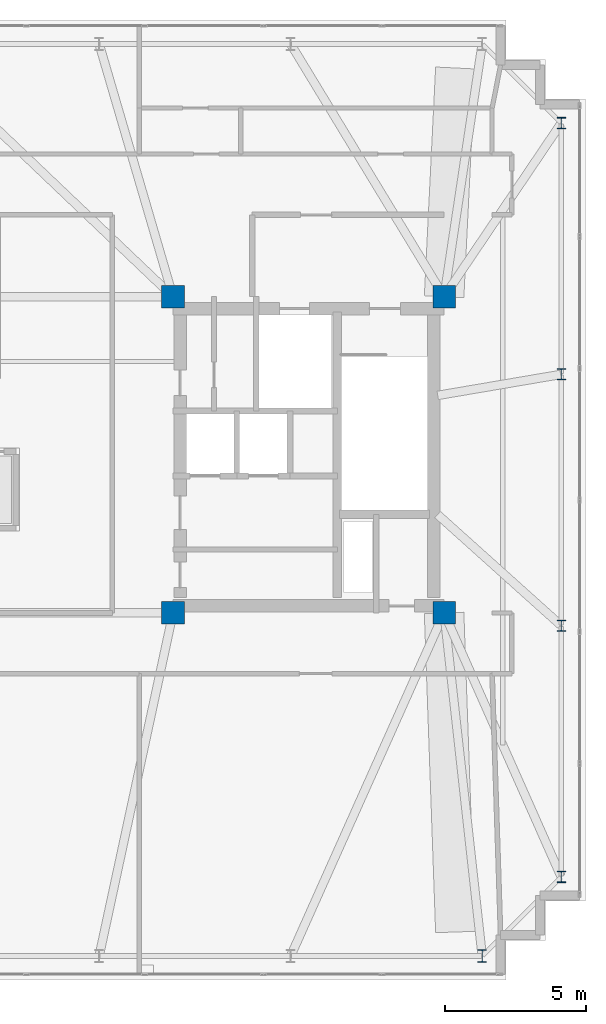
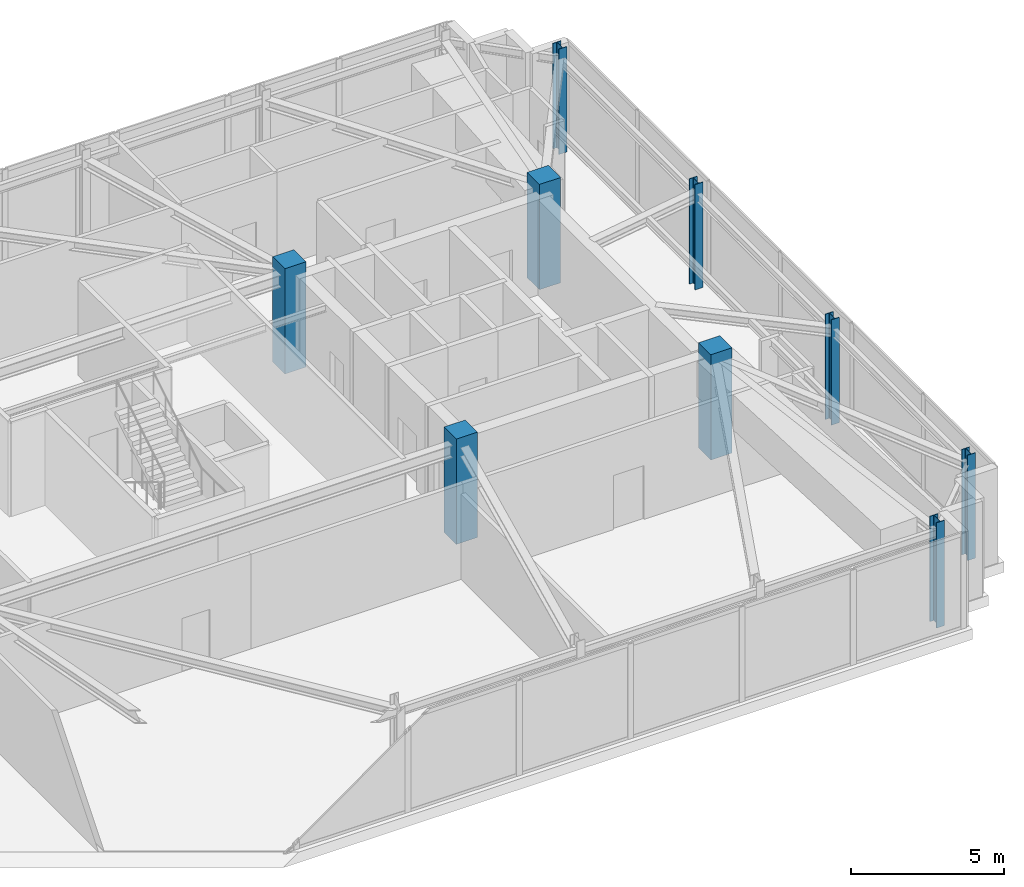
# One storey, part 2 of 27: 9 columns.
"""IFC4 building model written with IfcOpenShell, lengths in metres."""

import ifcopenshell
import ifcopenshell.guid

model = None  # the IFC model being written
_history = None  # IfcOwnerHistory: only IFC2X3 demands one
_inside = {}  # id of a spatial element -> (the spatial element, [elements in it])
_under = {}  # id of a project, library or spatial element -> (it, [spatial elements below it])
_declared = {}  # id of a project -> (the project, [libraries it declares])
_typed = {}  # id of a type object -> (the type object, [elements of that type])
_made_of = {}  # id of a material, layer set ... -> (it, [elements and type objects made of it])


def new_model(schema):
    """Start an empty IFC model of exactly this schema.

    Asked for "IFC4X3", IfcOpenShell would pick the latest addendum, in which some entities
    have other attributes; the version numbers below select the first issue.
    IFC2X3 requires an IfcOwnerHistory on every rooted entity: one is made here for all.
    """
    global model, _history
    if schema == "IFC4X3":
        model = ifcopenshell.file(schema_version=(4, 3, 0, 0))
    else:
        model = ifcopenshell.file(schema=schema)
    _inside.clear()
    _under.clear()
    _declared.clear()
    _typed.clear()
    _made_of.clear()
    _history = None
    if model.schema == "IFC2X3":
        org = make("IfcOrganization", Name="unknown")
        user = make(
            "IfcPersonAndOrganization",
            ThePerson=make("IfcPerson", FamilyName="unknown"),
            TheOrganization=org,
        )
        app = make(
            "IfcApplication",
            ApplicationDeveloper=org,
            Version="unknown",
            ApplicationFullName="unknown",
            ApplicationIdentifier="unknown",
        )
        _history = make(
            "IfcOwnerHistory",
            OwningUser=user,
            OwningApplication=app,
            ChangeAction="ADDED",
            CreationDate=0,
        )
    return model


def make(cls, **values):
    """One entity of the class cls with the attributes given. An attribute that is None is left unset."""
    return model.create_entity(
        cls, **{name: value for name, value in values.items() if value is not None}
    )


def rooted(cls, **values):
    """An entity with a GlobalId (a new one), such as an element, a storey or a relation."""
    return make(cls, GlobalId=ifcopenshell.guid.new(), OwnerHistory=_history, **values)


def si_unit(unit_type, name, prefix=None):
    """IfcSIUnit, for example si_unit("LENGTHUNIT", "METRE", prefix="MILLI")."""
    return make("IfcSIUnit", UnitType=unit_type, Prefix=prefix, Name=name)


def assignment(units):
    """IfcUnitAssignment: the units of a project."""
    return None if units is None else make("IfcUnitAssignment", Units=units)


def point(xyz):
    """IfcCartesianPoint."""
    return None if xyz is None else make("IfcCartesianPoint", Coordinates=xyz)


def direction(xyz):
    """IfcDirection."""
    return None if xyz is None else make("IfcDirection", DirectionRatios=xyz)


def frame(location, z_axis=None, x_axis=None):
    """IfcAxis2Placement3D, a coordinate frame: its origin and axes. An axis left out is left unset."""
    return make(
        "IfcAxis2Placement3D",
        Location=point(location),
        Axis=direction(z_axis),
        RefDirection=direction(x_axis),
    )


def frame_2d(location, x_axis=None):
    """IfcAxis2Placement2D, a coordinate frame in the plane: its origin and x axis."""
    return make(
        "IfcAxis2Placement2D", Location=point(location), RefDirection=direction(x_axis)
    )


def origin():
    """The frame at (0, 0, 0) with its axes left unset."""
    return frame((0.0, 0.0, 0.0))


def origin_2d():
    """The frame at (0, 0) in the plane with its x axis left unset."""
    return frame_2d((0.0, 0.0))


def place(relative_to, where):
    """IfcLocalPlacement: puts the frame where relative to a parent placement (None: the world)."""
    return make(
        "IfcLocalPlacement", PlacementRelTo=relative_to, RelativePlacement=where
    )


def context(
    kind, dimensions, precision=None, world=None, true_north=None, identifier=None
):
    """IfcGeometricRepresentationContext, for example the 3D "Model" context."""
    return make(
        "IfcGeometricRepresentationContext",
        ContextIdentifier=identifier,
        ContextType=kind,
        CoordinateSpaceDimension=dimensions,
        Precision=precision,
        WorldCoordinateSystem=world,
        TrueNorth=true_north,
    )


def subcontext(parent, identifier, kind, view, scale=None):
    """IfcGeometricRepresentationSubContext, for example "Body" below "Model"."""
    return make(
        "IfcGeometricRepresentationSubContext",
        ContextIdentifier=identifier,
        ContextType=kind,
        ParentContext=parent,
        TargetScale=scale,
        TargetView=view,
    )


def project(units=None, contexts=None):
    """IfcProject with its units and contexts."""
    return rooted(
        "IfcProject",
        Name="project",
        RepresentationContexts=contexts,
        UnitsInContext=assignment(units),
    )


def spatial(cls, under=None, at=None, **own):
    """A site, building, storey or space (cls), placed at a placement, below another one or the project."""
    s = rooted(cls, ObjectPlacement=at, **own)
    if under is not None:
        _under.setdefault(under.id(), (under, []))[1].append(s)
    return s


def profile(cls, at=None, kind="AREA", **sizes):
    """A parametric profile (cls). Its sizes go by their IFC names, for example OverallWidth=200.0."""
    return make(cls, ProfileType=kind, Position=at, **sizes)


def rectangle(**sizes):
    """IfcRectangleProfileDef."""
    return profile("IfcRectangleProfileDef", **sizes)


def i_section(**sizes):
    """IfcIShapeProfileDef."""
    return profile("IfcIShapeProfileDef", **sizes)


def extrude(swept, where, along, depth):
    """IfcExtrudedAreaSolid: the profile swept, set in the frame where, extruded along a direction by depth."""
    return make(
        "IfcExtrudedAreaSolid",
        SweptArea=swept,
        Position=where,
        ExtrudedDirection=direction(along),
        Depth=depth,
    )


def shape(context_of_items, identifier, shape_type, items):
    """IfcShapeRepresentation: the items that make up one representation, for example the "Body"."""
    return make(
        "IfcShapeRepresentation",
        ContextOfItems=context_of_items,
        RepresentationIdentifier=identifier,
        RepresentationType=shape_type,
        Items=items,
    )


def material(Name=None, Category=None):
    """IfcMaterial."""
    return make("IfcMaterial", Name=Name, Category=Category)


def material_profile(
    of_material, cross_section, Name=None, Category=None, Priority=None
):
    """IfcMaterialProfile: a cross section and its material."""
    return make(
        "IfcMaterialProfile",
        Name=Name,
        Material=of_material,
        Profile=cross_section,
        Priority=Priority,
        Category=Category,
    )


def profile_set(profiles, Name=None, composite=None):
    """IfcMaterialProfileSet."""
    return make(
        "IfcMaterialProfileSet",
        Name=Name,
        MaterialProfiles=profiles,
        CompositeProfile=composite,
    )


def made_of(thing, what):
    """Note that an element or type object is made of a material, layer set ...; save() writes the relation."""
    if what is not None:
        _made_of.setdefault(what.id(), (what, []))[1].append(thing)
    return thing


def type_object(cls, material=None, **own):
    """A type object (cls), such as IfcWallType, which elements share."""
    return made_of(rooted(cls, **own), material)


def element(
    cls,
    number,
    at=None,
    inside=None,
    cuts=None,
    type_object=None,
    material=None,
    context=None,
    identifier="Body",
    shape_type=None,
    held_by="IfcProductDefinitionShape",
    body=None,
    shapes=None,
    **own,
):
    """One element of the class cls, such as IfcWall. Its Tag is "e" and its number.

    at: its placement. inside: the storey or other place that contains it. cuts: it is an
    opening in that element (IfcRelVoidsElement). A single representation is given by context,
    identifier, shape_type and body (its items); several are given by shapes. held_by: the class
    of the entity that holds the representations. save() writes the other relations.
    """
    e = rooted(cls, Tag="e%d" % number, ObjectPlacement=at, **own)
    if body is not None:
        shapes = [shape(context, identifier, shape_type, body)]
    if shapes is not None:
        e.Representation = make(held_by, Representations=shapes)
    if inside is not None:
        _inside.setdefault(inside.id(), (inside, []))[1].append(e)
    if cuts is not None:
        rooted(
            "IfcRelVoidsElement", RelatingBuildingElement=cuts, RelatedOpeningElement=e
        )
    if type_object is not None:
        _typed.setdefault(type_object.id(), (type_object, []))[1].append(e)
    return made_of(e, material)


def aggregate(whole, parts):
    """IfcRelAggregates: a whole, such as a stair, and the parts it consists of."""
    return rooted("IfcRelAggregates", RelatingObject=whole, RelatedObjects=parts)


def save(model, path):
    """Write the relations noted so far, then the file.

    IfcRelAggregates (storeys below a building ...), IfcRelContainedInSpatialStructure (elements
    in a storey), IfcRelDefinesByType, IfcRelAssociatesMaterial and IfcRelDeclares: one each for
    every whole, place, type object, material and project.
    """
    for whole, parts in _under.values():
        aggregate(whole, parts)
    for where, things in _inside.values():
        rooted(
            "IfcRelContainedInSpatialStructure",
            RelatedElements=things,
            RelatingStructure=where,
        )
    for kind, things in _typed.values():
        rooted("IfcRelDefinesByType", RelatedObjects=things, RelatingType=kind)
    for what, things in _made_of.values():
        rooted("IfcRelAssociatesMaterial", RelatedObjects=things, RelatingMaterial=what)
    for by, libraries in _declared.values():
        rooted("IfcRelDeclares", RelatingContext=by, RelatedDefinitions=libraries)
    model.write(path)


model = new_model("IFC4")

# Units and contexts
model_context = context("Model", 3, precision=1e-05, world=origin(), true_north=direction((0.0, 1.0)))
body_context = subcontext(model_context, "Body", "Model", "MODEL_VIEW")
ifc_project = project(units=[si_unit("LENGTHUNIT", "METRE"), si_unit("AREAUNIT", "SQUARE_METRE"), si_unit("VOLUMEUNIT", "CUBIC_METRE"), si_unit("PLANEANGLEUNIT", "RADIAN"), si_unit("MASSUNIT", "GRAM", prefix="KILO")], contexts=[model_context])

# Site, building, storey
site_placement = place(None, origin())
site = spatial("IfcSite", under=ifc_project, at=site_placement, CompositionType="ELEMENT")
building_placement = place(site_placement, origin())
building = spatial("IfcBuilding", under=site, at=building_placement, Name="Qobustan Lattice House", CompositionType="ELEMENT")
storey_placement = place(building_placement, frame((0.0, 0.0, 266.0)))
storey = spatial("IfcBuildingStorey", under=building, at=storey_placement, Name="L75", CompositionType="ELEMENT", Elevation=266.0)

# Columns
ifc_material_1 = material(Name="Concrete C50/60", Category="concrete")
ifc_material_profile_1 = material_profile(ifc_material_1, rectangle(XDim=0.800048828125, YDim=0.800048828125, at=origin_2d()), Name="RC800x800")
ifc_profile_set_1 = profile_set([ifc_material_profile_1], Name="Concrete C50/60")
column_type_1 = type_object("IfcColumnType", Name="COL-RC-800", PredefinedType="COLUMN", material=ifc_profile_set_1)
for number, where, z_axis, x_axis, name in (
    (1, (9.199951171875, -5.60009765625, 0.0), (0.0, 0.0, 1.0), (1.0, 0.0, 0.0), "L75 core mega-column CE-SW"),
    (2, (9.199951171875, 5.60009765625, 0.0), (0.0, 0.0, 1.0), (1.0, 0.0, 0.0), "L75 core mega-column CE-NW"),
    (3, (18.800048828125, -5.60009765625, 0.0), (0.0, 0.0, 1.0), (1.0, 0.0, 0.0), "L75 core mega-column CE-SE"),
    (4, (18.800048828125, 5.60009765625, 0.0), (0.0, 0.0, 1.0), (1.0, 0.0, 0.0), "L75 core mega-column CE-NE"),
):
    element("IfcColumn", number, at=place(storey_placement, frame(where, z_axis=z_axis, x_axis=x_axis)), inside=storey, type_object=column_type_1, Name=name, PredefinedType="COLUMN", context=body_context, shape_type="SweptSolid", body=[
        extrude(rectangle(XDim=0.800048828125, YDim=0.800048828125, at=origin_2d()), origin(), (0.0, 0.0, 1.0), 4.199951171875),
    ])
ifc_material_2 = material(Name="Steel S355", Category="steel")
ifc_material_profile_2 = material_profile(ifc_material_2, i_section(OverallWidth=0.300048828125, OverallDepth=0.39990234375, WebThickness=0.013427734375, FlangeThickness=0.02392578125, FilletRadius=0.027099609375, at=origin_2d()), Name="HEB400")
ifc_profile_set_2 = profile_set([ifc_material_profile_2], Name="Steel S355")
column_type_2 = type_object("IfcColumnType", Name="COL-ST-HEB400", PredefinedType="COLUMN", material=ifc_profile_set_2)
for number, where, z_axis, x_axis, name in (
    (5, (22.949951171875, -14.949951171875, 0.0), (0.0, 0.0, 1.0), (1.0, 0.0, 0.0), "L75 B5 perimeter column E1"),
    (6, (22.949951171875, -6.050048828125, 0.0), (0.0, 0.0, 1.0), (1.0, 0.0, 0.0), "L75 B5 perimeter column E2"),
    (7, (22.949951171875, 2.85009765625, 0.0), (0.0, 0.0, 1.0), (1.0, 0.0, 0.0), "L75 B5 perimeter column E3"),
    (8, (22.949951171875, 11.75, 0.0), (0.0, 0.0, 1.0), (1.0, 0.0, 0.0), "L75 B5 perimeter column E4"),
):
    element("IfcColumn", number, at=place(storey_placement, frame(where, z_axis=z_axis, x_axis=x_axis)), inside=storey, type_object=column_type_2, Name=name, PredefinedType="COLUMN", context=body_context, shape_type="SweptSolid", body=[
        extrude(i_section(OverallWidth=0.300048828125, OverallDepth=0.39990234375, WebThickness=0.013427734375, FlangeThickness=0.02392578125, FilletRadius=0.027099609375, at=origin_2d()), origin(), (0.0, 0.0, 1.0), 4.199951171875),
    ])
ifc_material_3 = material(Name="Steel S355", Category="steel")
ifc_material_profile_3 = material_profile(ifc_material_3, i_section(OverallWidth=0.300048828125, OverallDepth=0.449951171875, WebThickness=0.013916015625, FlangeThickness=0.02587890625, FilletRadius=0.027099609375, at=origin_2d()), Name="HEB450")
ifc_profile_set_3 = profile_set([ifc_material_profile_3], Name="Steel S355")
column_type_3 = type_object("IfcColumnType", Name="COL-ST-HEB450", PredefinedType="COLUMN", material=ifc_profile_set_3)
column_placement = place(storey_placement, frame((20.14990234375, -17.75, 0.0), z_axis=(0.0, 0.0, 1.0), x_axis=(1.0, 0.0, 0.0)))
element("IfcColumn", 9, at=column_placement, inside=storey, type_object=column_type_3, Name="L75 B5 perimeter column S7", PredefinedType="COLUMN", context=body_context, shape_type="SweptSolid", body=[
    extrude(i_section(OverallWidth=0.300048828125, OverallDepth=0.449951171875, WebThickness=0.013916015625, FlangeThickness=0.02587890625, FilletRadius=0.027099609375, at=origin_2d()), origin(), (0.0, 0.0, 1.0), 4.199951171875),
])

save(model, "model.ifc")
